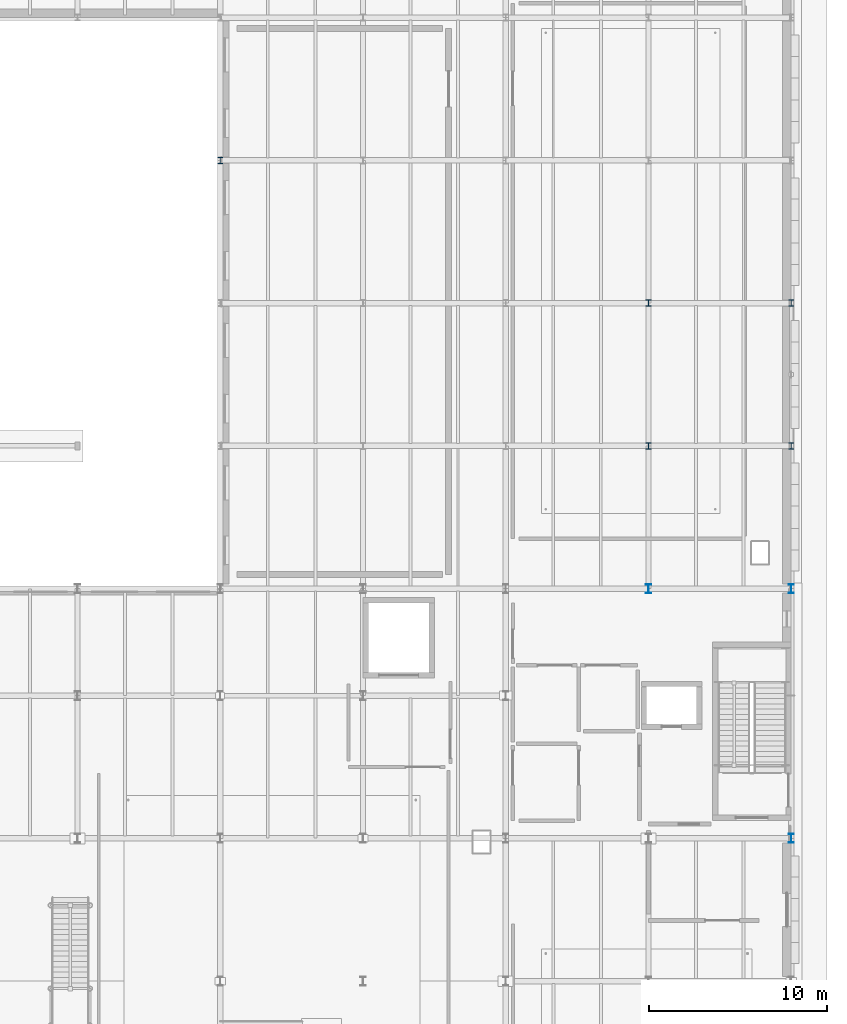
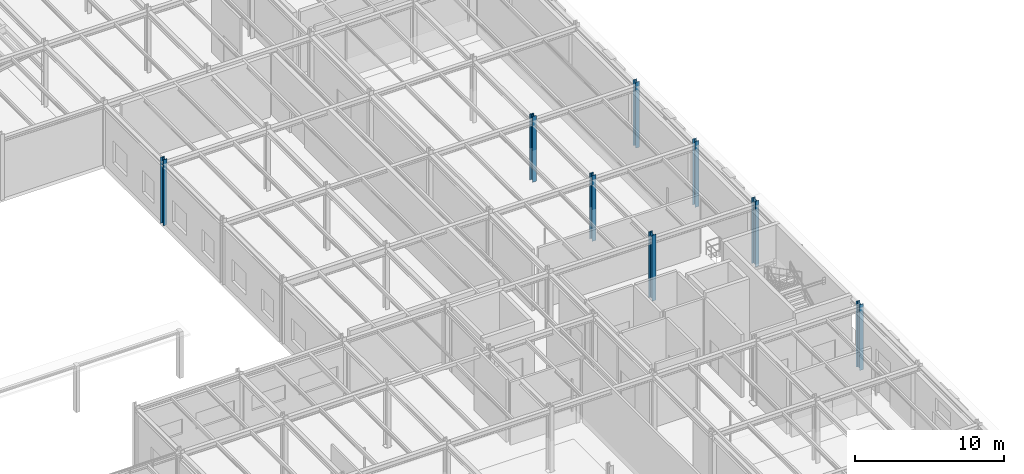
# One storey, part 21 of 129: 8 columns.
"""IFC4 building model written with IfcOpenShell, lengths in metres."""

from ifc_helpers import new_model, si_unit, direction, frame, origin, origin_2d, place, context, subcontext, project, spatial, i_section, extrude, material, material_profile, profile_set, type_object, element, save


model = new_model("IFC4")

# Units and contexts
model_context = context("Model", 3, precision=1e-05, world=origin(), true_north=direction((0.0, 1.0)))
body_context = subcontext(model_context, "Body", "Model", "MODEL_VIEW")
ifc_project = project(units=[si_unit("LENGTHUNIT", "METRE"), si_unit("AREAUNIT", "SQUARE_METRE"), si_unit("VOLUMEUNIT", "CUBIC_METRE"), si_unit("PLANEANGLEUNIT", "RADIAN"), si_unit("MASSUNIT", "GRAM", prefix="KILO")], contexts=[model_context])

# Site, building, storey
site_placement = place(None, origin())
site = spatial("IfcSite", under=ifc_project, at=site_placement, CompositionType="ELEMENT")
building_placement = place(site_placement, origin())
building = spatial("IfcBuilding", under=site, at=building_placement, Name="Sundkrona Museum", CompositionType="ELEMENT")
storey_placement = place(building_placement, origin())
storey = spatial("IfcBuildingStorey", under=building, at=storey_placement, Name="L00", CompositionType="ELEMENT", Elevation=0.0)

# Columns
ifc_material = material(Name="Steel S355J2", Category="steel")
ifc_material_profile_1 = material_profile(ifc_material, i_section(OverallWidth=0.300048828125, OverallDepth=0.360107421875, WebThickness=0.012451171875, FlangeThickness=0.0224609375, FilletRadius=0.027099609375, at=origin_2d()), Name="HEB 360")
ifc_profile_set_1 = profile_set([ifc_material_profile_1], Name="Steel S355J2")
column_type_1 = type_object("IfcColumnType", Name="C-HEB360", PredefinedType="COLUMN", material=ifc_profile_set_1)
for number, where, z_axis, x_axis, name in (
    (1, (136.0, 70.0, 0.0), (0.0, 0.0, 1.0), (1.0, 0.0, 0.0), "L00 Column K/18"),
    (2, (160.0, 54.0, 0.0), (0.0, 0.0, 1.0), (1.0, 0.0, 0.0), "L00 Column H/21"),
    (3, (160.0, 62.0, 0.0), (0.0, 0.0, 1.0), (1.0, 0.0, 0.0), "L00 Column J/21"),
    (4, (168.0, 54.0, 0.0), (0.0, 0.0, 1.0), (1.0, 0.0, 0.0), "L00 Column H/22"),
    (5, (168.0, 62.0, 0.0), (0.0, 0.0, 1.0), (1.0, 0.0, 0.0), "L00 Column J/22"),
):
    element("IfcColumn", number, at=place(storey_placement, frame(where, z_axis=z_axis, x_axis=x_axis)), inside=storey, type_object=column_type_1, Name=name, PredefinedType="COLUMN", context=body_context, shape_type="SweptSolid", body=[
        extrude(i_section(OverallWidth=0.300048828125, OverallDepth=0.360107421875, WebThickness=0.012451171875, FlangeThickness=0.0224609375, FilletRadius=0.027099609375, at=origin_2d()), origin(), (0.0, 0.0, 1.0), 5.39990234375),
    ])
ifc_material_profile_2 = material_profile(ifc_material, i_section(OverallWidth=0.300048828125, OverallDepth=0.5, WebThickness=0.014404296875, FlangeThickness=0.028076171875, FilletRadius=0.027099609375, at=origin_2d()), Name="HEB 500")
ifc_profile_set_2 = profile_set([ifc_material_profile_2], Name="Steel S355J2")
column_type_2 = type_object("IfcColumnType", Name="C-HEB500", PredefinedType="COLUMN", material=ifc_profile_set_2)
for number, where, z_axis, x_axis, name in (
    (6, (160.0, 46.0, 0.0), (0.0, 0.0, 1.0), (1.0, 0.0, 0.0), "L00 Column G/21"),
    (7, (168.0, 32.0, 0.0), (0.0, 0.0, 1.0), (1.0, 0.0, 0.0), "L00 Column E/22"),
    (8, (168.0, 46.0, 0.0), (0.0, 0.0, 1.0), (1.0, 0.0, 0.0), "L00 Column G/22"),
):
    element("IfcColumn", number, at=place(storey_placement, frame(where, z_axis=z_axis, x_axis=x_axis)), inside=storey, type_object=column_type_2, Name=name, PredefinedType="COLUMN", context=body_context, shape_type="SweptSolid", body=[
        extrude(i_section(OverallWidth=0.300048828125, OverallDepth=0.5, WebThickness=0.014404296875, FlangeThickness=0.028076171875, FilletRadius=0.027099609375, at=origin_2d()), origin(), (0.0, 0.0, 1.0), 5.39990234375),
    ])

save(model, "model.ifc")
